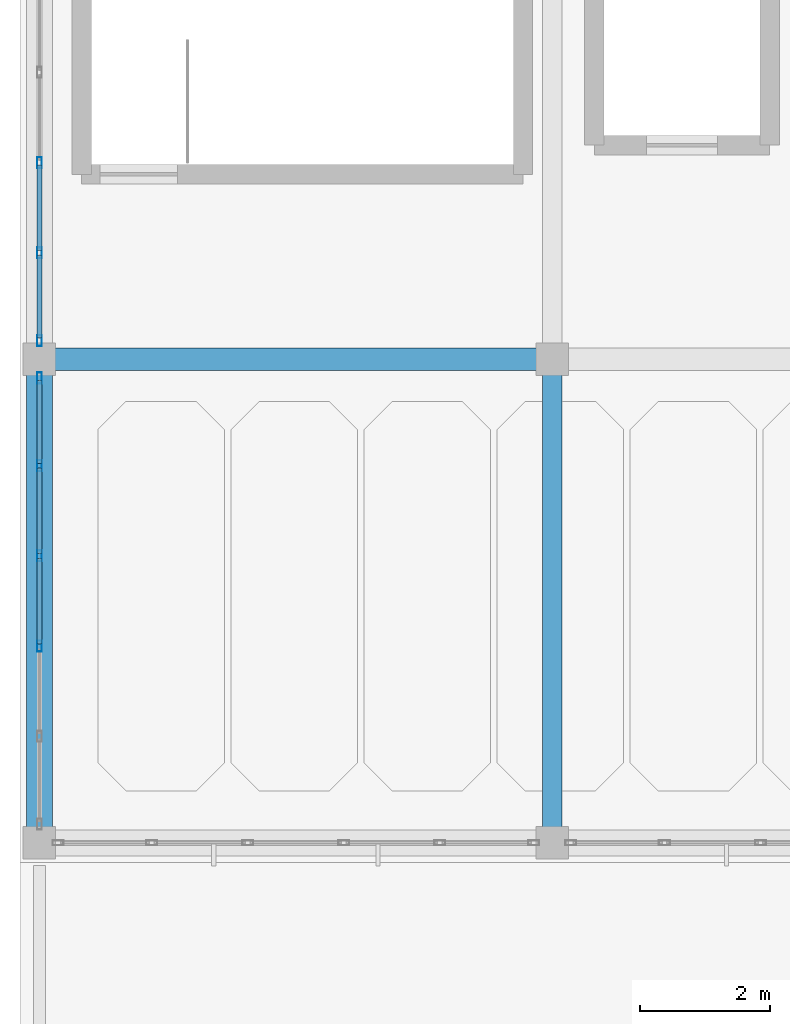
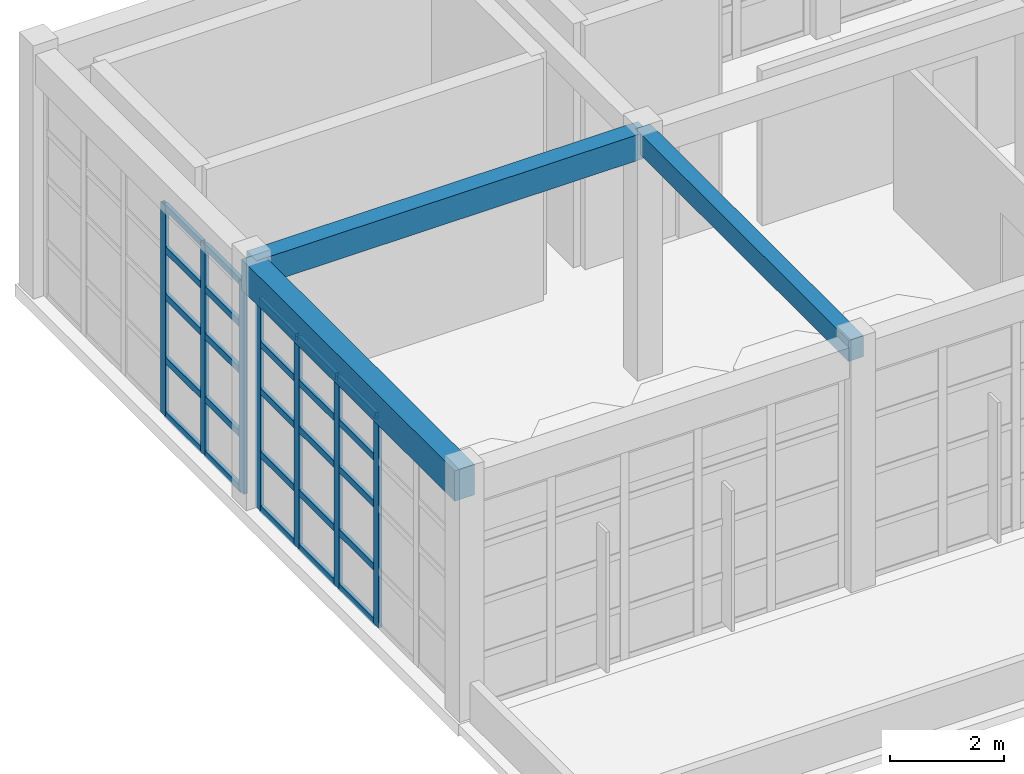
# One storey, part 5 of 103: 32 members, 3 beams, 2 elements without a shape of their own.
"""IFC4 building model written with IfcOpenShell, lengths in metres."""

from ifc_helpers import new_model, si_unit, direction, frame, origin, origin_2d, place, context, subcontext, project, spatial, rectangle, hollow_rectangle, extrude, material, layer, layer_set, material_profile, profile_set, type_object, element, aggregate, save


model = new_model("IFC4")

# Units and contexts
model_context = context("Model", 3, precision=1e-05, world=origin(), true_north=direction((0.0, 1.0)))
body_context = subcontext(model_context, "Body", "Model", "MODEL_VIEW")
ifc_project = project(units=[si_unit("LENGTHUNIT", "METRE"), si_unit("AREAUNIT", "SQUARE_METRE"), si_unit("VOLUMEUNIT", "CUBIC_METRE"), si_unit("PLANEANGLEUNIT", "RADIAN"), si_unit("MASSUNIT", "GRAM", prefix="KILO")], contexts=[model_context])

# Site, building, storey
site_placement = place(None, origin())
site = spatial("IfcSite", under=ifc_project, at=site_placement, CompositionType="ELEMENT")
building_placement = place(site_placement, origin())
building = spatial("IfcBuilding", under=site, at=building_placement, Name="Candilejo Ridge Gondola Terminal", CompositionType="ELEMENT")
storey_placement = place(building_placement, frame((0.0, 0.0, 9.0)))
storey = spatial("IfcBuildingStorey", under=building, at=storey_placement, Name="L02", CompositionType="ELEMENT", Elevation=9.0)

# Curtain wall, members
ifc_material_1 = material(Name="Anodised aluminium AA 6063-T6", Category="aluminium")
ifc_layer = layer(ifc_material_1, 0.169921875)
ifc_layer_set = layer_set([ifc_layer], Name="ARC-CW-CONCOURSE-3600-695X449")
curtain_wall_type = type_object("IfcCurtainWallType", Name="ARC-CW-CONCOURSE-3600-695X449", PredefinedType="NOTDEFINED", material=ifc_layer_set)
curtain_wall_1_placement = place(storey_placement, origin())
curtain_wall_1 = element("IfcCurtainWall", 1, at=curtain_wall_1_placement, inside=storey, type_object=curtain_wall_type, Name="Curtain wall V1 L02-022", PredefinedType="NOTDEFINED")
ifc_material_2 = material(Name="Anodised aluminium AA 6063-T6", Category="aluminium")
ifc_material_profile_1 = material_profile(ifc_material_2, hollow_rectangle(XDim=0.074951171875, YDim=0.169921875, WallThickness=0.00390625, at=origin_2d()))
ifc_profile_set_1 = profile_set([ifc_material_profile_1], Name="Anodised aluminium AA 6063-T6")
member_type_1 = type_object("IfcMemberType", Name="ARC-CW-MULLION", PredefinedType="MULLION", material=ifc_profile_set_1)
member_1_placement = place(storey_placement, frame((4.300048828125, 13.830078125, 0.0), z_axis=(0.0, 0.0, 1.0), x_axis=(-1.0, 0.0, 0.0)))
member_1 = element("IfcMember", 2, at=member_1_placement, type_object=member_type_1, Name="CW-69X44 mullion 3", PredefinedType="MULLION", context=body_context, shape_type="SweptSolid", body=[
    extrude(hollow_rectangle(XDim=0.074951171875, YDim=0.169921875, WallThickness=0.00390625, at=origin_2d()), origin(), (0.0, 0.0, 1.0), 4.489990234375),
])
member_2_placement = place(storey_placement, frame((4.300048828125, 15.219970703125, 0.0), z_axis=(0.0, 0.0, 1.0), x_axis=(-1.0, 0.0, 0.0)))
member_2 = element("IfcMember", 3, at=member_2_placement, type_object=member_type_1, Name="CW-69X44 mullion 4", PredefinedType="MULLION", context=body_context, shape_type="SweptSolid", body=[
    extrude(hollow_rectangle(XDim=0.074951171875, YDim=0.169921875, WallThickness=0.00390625, at=origin_2d()), origin(), (0.0, 0.0, 1.0), 4.489990234375),
])
member_3_placement = place(storey_placement, frame((4.300048828125, 16.610107421875, 0.0), z_axis=(0.0, 0.0, 1.0), x_axis=(-1.0, 0.0, 0.0)))
member_3 = element("IfcMember", 4, at=member_3_placement, type_object=member_type_1, Name="CW-69X44 mullion 5", PredefinedType="MULLION", context=body_context, shape_type="SweptSolid", body=[
    extrude(hollow_rectangle(XDim=0.074951171875, YDim=0.169921875, WallThickness=0.00390625, at=origin_2d()), origin(), (0.0, 0.0, 1.0), 4.489990234375),
])
member_4_placement = place(storey_placement, frame((4.300048828125, 17.96240234375, 0.0), z_axis=(0.0, 0.0, 1.0), x_axis=(-1.0, 0.0, 0.0)))
member_4 = element("IfcMember", 5, at=member_4_placement, type_object=member_type_1, Name="CW-69X44 mullion 6", PredefinedType="MULLION", context=body_context, shape_type="SweptSolid", body=[
    extrude(hollow_rectangle(XDim=0.074951171875, YDim=0.169921875, WallThickness=0.00390625, at=origin_2d()), origin(), (0.0, 0.0, 1.0), 4.489990234375),
])

curtain_wall_2_placement = place(storey_placement, origin())
curtain_wall_2 = element("IfcCurtainWall", 6, at=curtain_wall_2_placement, inside=storey, type_object=curtain_wall_type, Name="Curtain wall V1 L02-023", PredefinedType="NOTDEFINED")
member_5_placement = place(storey_placement, frame((4.300048828125, 18.53759765625, 0.0), z_axis=(0.0, 0.0, 1.0), x_axis=(-1.0, 0.0, 0.0)))
member_5 = element("IfcMember", 7, at=member_5_placement, type_object=member_type_1, Name="CW-69X44 mullion 1", PredefinedType="MULLION", context=body_context, shape_type="SweptSolid", body=[
    extrude(hollow_rectangle(XDim=0.074951171875, YDim=0.169921875, WallThickness=0.00390625, at=origin_2d()), origin(), (0.0, 0.0, 1.0), 4.489990234375),
])
member_6_placement = place(storey_placement, frame((4.300048828125, 19.889892578125, 0.0), z_axis=(0.0, 0.0, 1.0), x_axis=(-1.0, 0.0, 0.0)))
member_6 = element("IfcMember", 8, at=member_6_placement, type_object=member_type_1, Name="CW-69X44 mullion 2", PredefinedType="MULLION", context=body_context, shape_type="SweptSolid", body=[
    extrude(hollow_rectangle(XDim=0.074951171875, YDim=0.169921875, WallThickness=0.00390625, at=origin_2d()), origin(), (0.0, 0.0, 1.0), 4.489990234375),
])
member_7_placement = place(storey_placement, frame((4.300048828125, 21.280029296875, 0.0), z_axis=(0.0, 0.0, 1.0), x_axis=(-1.0, 0.0, 0.0)))
member_7 = element("IfcMember", 9, at=member_7_placement, type_object=member_type_1, Name="CW-69X44 mullion 3", PredefinedType="MULLION", context=body_context, shape_type="SweptSolid", body=[
    extrude(hollow_rectangle(XDim=0.074951171875, YDim=0.169921875, WallThickness=0.00390625, at=origin_2d()), origin(), (0.0, 0.0, 1.0), 4.489990234375),
])

# Member
ifc_material_3 = material(Name="Anodised aluminium AA 6063-T6", Category="aluminium")
ifc_material_profile_2 = material_profile(ifc_material_3, hollow_rectangle(XDim=0.074951171875, YDim=0.139892578125, WallThickness=0.00390625, at=origin_2d()))
ifc_profile_set_2 = profile_set([ifc_material_profile_2], Name="Anodised aluminium AA 6063-T6")
member_type_2 = type_object("IfcMemberType", Name="ARC-CW-TRANSOM", PredefinedType="USERDEFINED", material=ifc_profile_set_2)
member_8_placement = place(storey_placement, frame((4.300048828125, 13.867431640625, 0.03759765625), z_axis=(0.0, 1.0, 0.0), x_axis=(-1.0, 0.0, 0.0)))
member_8 = element("IfcMember", 10, at=member_8_placement, type_object=member_type_2, Name="CW-69X44 transom 3.1", ObjectType="TRANSOM", PredefinedType="USERDEFINED", context=body_context, shape_type="SweptSolid", body=[
    extrude(hollow_rectangle(XDim=0.074951171875, YDim=0.139892578125, WallThickness=0.00390625, at=origin_2d()), origin(), (0.0, 0.0, 1.0), 1.315185546875),
])

member_9_placement = place(storey_placement, frame((4.300048828125, 13.867431640625, 1.199951171875), z_axis=(0.0, 1.0, 0.0), x_axis=(-1.0, 0.0, 0.0)))
member_9 = element("IfcMember", 11, at=member_9_placement, type_object=member_type_2, Name="CW-69X44 transom 3.2", ObjectType="TRANSOM", PredefinedType="USERDEFINED", context=body_context, shape_type="SweptSolid", body=[
    extrude(hollow_rectangle(XDim=0.074951171875, YDim=0.139892578125, WallThickness=0.00390625, at=origin_2d()), origin(), (0.0, 0.0, 1.0), 1.315185546875),
])

member_10_placement = place(storey_placement, frame((4.300048828125, 13.867431640625, 2.550048828125), z_axis=(0.0, 1.0, 0.0), x_axis=(-1.0, 0.0, 0.0)))
member_10 = element("IfcMember", 12, at=member_10_placement, type_object=member_type_2, Name="CW-69X44 transom 3.3", ObjectType="TRANSOM", PredefinedType="USERDEFINED", context=body_context, shape_type="SweptSolid", body=[
    extrude(hollow_rectangle(XDim=0.074951171875, YDim=0.139892578125, WallThickness=0.00390625, at=origin_2d()), origin(), (0.0, 0.0, 1.0), 1.315185546875),
])

member_11_placement = place(storey_placement, frame((4.300048828125, 13.867431640625, 3.550048828125), z_axis=(0.0, 1.0, 0.0), x_axis=(-1.0, 0.0, 0.0)))
member_11 = element("IfcMember", 13, at=member_11_placement, type_object=member_type_2, Name="CW-69X44 transom 3.4", ObjectType="TRANSOM", PredefinedType="USERDEFINED", context=body_context, shape_type="SweptSolid", body=[
    extrude(hollow_rectangle(XDim=0.074951171875, YDim=0.139892578125, WallThickness=0.00390625, at=origin_2d()), origin(), (0.0, 0.0, 1.0), 1.315185546875),
])

member_12_placement = place(storey_placement, frame((4.300048828125, 13.867431640625, 4.452392578125), z_axis=(0.0, 1.0, 0.0), x_axis=(-1.0, 0.0, 0.0)))
member_12 = element("IfcMember", 14, at=member_12_placement, type_object=member_type_2, Name="CW-69X44 transom 3.5", ObjectType="TRANSOM", PredefinedType="USERDEFINED", context=body_context, shape_type="SweptSolid", body=[
    extrude(hollow_rectangle(XDim=0.074951171875, YDim=0.139892578125, WallThickness=0.00390625, at=origin_2d()), origin(), (0.0, 0.0, 1.0), 1.315185546875),
])

member_13_placement = place(storey_placement, frame((4.300048828125, 15.257568359375, 0.03759765625), z_axis=(0.0, 1.0, 0.0), x_axis=(-1.0, 0.0, 0.0)))
member_13 = element("IfcMember", 15, at=member_13_placement, type_object=member_type_2, Name="CW-69X44 transom 4.1", ObjectType="TRANSOM", PredefinedType="USERDEFINED", context=body_context, shape_type="SweptSolid", body=[
    extrude(hollow_rectangle(XDim=0.074951171875, YDim=0.139892578125, WallThickness=0.00390625, at=origin_2d()), origin(), (0.0, 0.0, 1.0), 1.31494140625),
])

member_14_placement = place(storey_placement, frame((4.300048828125, 15.257568359375, 1.199951171875), z_axis=(0.0, 1.0, 0.0), x_axis=(-1.0, 0.0, 0.0)))
member_14 = element("IfcMember", 16, at=member_14_placement, type_object=member_type_2, Name="CW-69X44 transom 4.2", ObjectType="TRANSOM", PredefinedType="USERDEFINED", context=body_context, shape_type="SweptSolid", body=[
    extrude(hollow_rectangle(XDim=0.074951171875, YDim=0.139892578125, WallThickness=0.00390625, at=origin_2d()), origin(), (0.0, 0.0, 1.0), 1.31494140625),
])

member_15_placement = place(storey_placement, frame((4.300048828125, 15.257568359375, 2.550048828125), z_axis=(0.0, 1.0, 0.0), x_axis=(-1.0, 0.0, 0.0)))
member_15 = element("IfcMember", 17, at=member_15_placement, type_object=member_type_2, Name="CW-69X44 transom 4.3", ObjectType="TRANSOM", PredefinedType="USERDEFINED", context=body_context, shape_type="SweptSolid", body=[
    extrude(hollow_rectangle(XDim=0.074951171875, YDim=0.139892578125, WallThickness=0.00390625, at=origin_2d()), origin(), (0.0, 0.0, 1.0), 1.31494140625),
])

member_16_placement = place(storey_placement, frame((4.300048828125, 15.257568359375, 3.550048828125), z_axis=(0.0, 1.0, 0.0), x_axis=(-1.0, 0.0, 0.0)))
member_16 = element("IfcMember", 18, at=member_16_placement, type_object=member_type_2, Name="CW-69X44 transom 4.4", ObjectType="TRANSOM", PredefinedType="USERDEFINED", context=body_context, shape_type="SweptSolid", body=[
    extrude(hollow_rectangle(XDim=0.074951171875, YDim=0.139892578125, WallThickness=0.00390625, at=origin_2d()), origin(), (0.0, 0.0, 1.0), 1.31494140625),
])

member_17_placement = place(storey_placement, frame((4.300048828125, 15.257568359375, 4.452392578125), z_axis=(0.0, 1.0, 0.0), x_axis=(-1.0, 0.0, 0.0)))
member_17 = element("IfcMember", 19, at=member_17_placement, type_object=member_type_2, Name="CW-69X44 transom 4.5", ObjectType="TRANSOM", PredefinedType="USERDEFINED", context=body_context, shape_type="SweptSolid", body=[
    extrude(hollow_rectangle(XDim=0.074951171875, YDim=0.139892578125, WallThickness=0.00390625, at=origin_2d()), origin(), (0.0, 0.0, 1.0), 1.31494140625),
])

member_18_placement = place(storey_placement, frame((4.300048828125, 16.6474609375, 0.03759765625), z_axis=(0.0, 1.0, 0.0), x_axis=(-1.0, 0.0, 0.0)))
member_18 = element("IfcMember", 20, at=member_18_placement, type_object=member_type_2, Name="CW-69X44 transom 5.1", ObjectType="TRANSOM", PredefinedType="USERDEFINED", context=body_context, shape_type="SweptSolid", body=[
    extrude(hollow_rectangle(XDim=0.074951171875, YDim=0.139892578125, WallThickness=0.00390625, at=origin_2d()), origin(), (0.0, 0.0, 1.0), 1.277587890625),
])

member_19_placement = place(storey_placement, frame((4.300048828125, 16.6474609375, 1.199951171875), z_axis=(0.0, 1.0, 0.0), x_axis=(-1.0, 0.0, 0.0)))
member_19 = element("IfcMember", 21, at=member_19_placement, type_object=member_type_2, Name="CW-69X44 transom 5.2", ObjectType="TRANSOM", PredefinedType="USERDEFINED", context=body_context, shape_type="SweptSolid", body=[
    extrude(hollow_rectangle(XDim=0.074951171875, YDim=0.139892578125, WallThickness=0.00390625, at=origin_2d()), origin(), (0.0, 0.0, 1.0), 1.277587890625),
])

member_20_placement = place(storey_placement, frame((4.300048828125, 16.6474609375, 2.550048828125), z_axis=(0.0, 1.0, 0.0), x_axis=(-1.0, 0.0, 0.0)))
member_20 = element("IfcMember", 22, at=member_20_placement, type_object=member_type_2, Name="CW-69X44 transom 5.3", ObjectType="TRANSOM", PredefinedType="USERDEFINED", context=body_context, shape_type="SweptSolid", body=[
    extrude(hollow_rectangle(XDim=0.074951171875, YDim=0.139892578125, WallThickness=0.00390625, at=origin_2d()), origin(), (0.0, 0.0, 1.0), 1.277587890625),
])

member_21_placement = place(storey_placement, frame((4.300048828125, 16.6474609375, 3.550048828125), z_axis=(0.0, 1.0, 0.0), x_axis=(-1.0, 0.0, 0.0)))
member_21 = element("IfcMember", 23, at=member_21_placement, type_object=member_type_2, Name="CW-69X44 transom 5.4", ObjectType="TRANSOM", PredefinedType="USERDEFINED", context=body_context, shape_type="SweptSolid", body=[
    extrude(hollow_rectangle(XDim=0.074951171875, YDim=0.139892578125, WallThickness=0.00390625, at=origin_2d()), origin(), (0.0, 0.0, 1.0), 1.277587890625),
])

member_22_placement = place(storey_placement, frame((4.300048828125, 16.6474609375, 4.452392578125), z_axis=(0.0, 1.0, 0.0), x_axis=(-1.0, 0.0, 0.0)))
member_22 = element("IfcMember", 24, at=member_22_placement, type_object=member_type_2, Name="CW-69X44 transom 5.5", ObjectType="TRANSOM", PredefinedType="USERDEFINED", context=body_context, shape_type="SweptSolid", body=[
    extrude(hollow_rectangle(XDim=0.074951171875, YDim=0.139892578125, WallThickness=0.00390625, at=origin_2d()), origin(), (0.0, 0.0, 1.0), 1.277587890625),
])

aggregate(curtain_wall_1, [member_1, member_2, member_3, member_4, member_8, member_9, member_10, member_11, member_12, member_13, member_14, member_15, member_16, member_17, member_18, member_19, member_20, member_21, member_22])

member_23_placement = place(storey_placement, frame((4.300048828125, 18.574951171875, 0.03759765625), z_axis=(0.0, 1.0, 0.0), x_axis=(-1.0, 0.0, 0.0)))
member_23 = element("IfcMember", 25, at=member_23_placement, type_object=member_type_2, Name="CW-69X44 transom 1.1", ObjectType="TRANSOM", PredefinedType="USERDEFINED", context=body_context, shape_type="SweptSolid", body=[
    extrude(hollow_rectangle(XDim=0.074951171875, YDim=0.139892578125, WallThickness=0.00390625, at=origin_2d()), origin(), (0.0, 0.0, 1.0), 1.277587890625),
])

member_24_placement = place(storey_placement, frame((4.300048828125, 18.574951171875, 1.199951171875), z_axis=(0.0, 1.0, 0.0), x_axis=(-1.0, 0.0, 0.0)))
member_24 = element("IfcMember", 26, at=member_24_placement, type_object=member_type_2, Name="CW-69X44 transom 1.2", ObjectType="TRANSOM", PredefinedType="USERDEFINED", context=body_context, shape_type="SweptSolid", body=[
    extrude(hollow_rectangle(XDim=0.074951171875, YDim=0.139892578125, WallThickness=0.00390625, at=origin_2d()), origin(), (0.0, 0.0, 1.0), 1.277587890625),
])

member_25_placement = place(storey_placement, frame((4.300048828125, 18.574951171875, 2.550048828125), z_axis=(0.0, 1.0, 0.0), x_axis=(-1.0, 0.0, 0.0)))
member_25 = element("IfcMember", 27, at=member_25_placement, type_object=member_type_2, Name="CW-69X44 transom 1.3", ObjectType="TRANSOM", PredefinedType="USERDEFINED", context=body_context, shape_type="SweptSolid", body=[
    extrude(hollow_rectangle(XDim=0.074951171875, YDim=0.139892578125, WallThickness=0.00390625, at=origin_2d()), origin(), (0.0, 0.0, 1.0), 1.277587890625),
])

member_26_placement = place(storey_placement, frame((4.300048828125, 18.574951171875, 3.550048828125), z_axis=(0.0, 1.0, 0.0), x_axis=(-1.0, 0.0, 0.0)))
member_26 = element("IfcMember", 28, at=member_26_placement, type_object=member_type_2, Name="CW-69X44 transom 1.4", ObjectType="TRANSOM", PredefinedType="USERDEFINED", context=body_context, shape_type="SweptSolid", body=[
    extrude(hollow_rectangle(XDim=0.074951171875, YDim=0.139892578125, WallThickness=0.00390625, at=origin_2d()), origin(), (0.0, 0.0, 1.0), 1.277587890625),
])

member_27_placement = place(storey_placement, frame((4.300048828125, 18.574951171875, 4.452392578125), z_axis=(0.0, 1.0, 0.0), x_axis=(-1.0, 0.0, 0.0)))
member_27 = element("IfcMember", 29, at=member_27_placement, type_object=member_type_2, Name="CW-69X44 transom 1.5", ObjectType="TRANSOM", PredefinedType="USERDEFINED", context=body_context, shape_type="SweptSolid", body=[
    extrude(hollow_rectangle(XDim=0.074951171875, YDim=0.139892578125, WallThickness=0.00390625, at=origin_2d()), origin(), (0.0, 0.0, 1.0), 1.277587890625),
])

member_28_placement = place(storey_placement, frame((4.300048828125, 19.927490234375, 0.03759765625), z_axis=(0.0, 1.0, 0.0), x_axis=(-1.0, 0.0, 0.0)))
member_28 = element("IfcMember", 30, at=member_28_placement, type_object=member_type_2, Name="CW-69X44 transom 2.1", ObjectType="TRANSOM", PredefinedType="USERDEFINED", context=body_context, shape_type="SweptSolid", body=[
    extrude(hollow_rectangle(XDim=0.074951171875, YDim=0.139892578125, WallThickness=0.00390625, at=origin_2d()), origin(), (0.0, 0.0, 1.0), 1.31494140625),
])

member_29_placement = place(storey_placement, frame((4.300048828125, 19.927490234375, 1.199951171875), z_axis=(0.0, 1.0, 0.0), x_axis=(-1.0, 0.0, 0.0)))
member_29 = element("IfcMember", 31, at=member_29_placement, type_object=member_type_2, Name="CW-69X44 transom 2.2", ObjectType="TRANSOM", PredefinedType="USERDEFINED", context=body_context, shape_type="SweptSolid", body=[
    extrude(hollow_rectangle(XDim=0.074951171875, YDim=0.139892578125, WallThickness=0.00390625, at=origin_2d()), origin(), (0.0, 0.0, 1.0), 1.31494140625),
])

member_30_placement = place(storey_placement, frame((4.300048828125, 19.927490234375, 2.550048828125), z_axis=(0.0, 1.0, 0.0), x_axis=(-1.0, 0.0, 0.0)))
member_30 = element("IfcMember", 32, at=member_30_placement, type_object=member_type_2, Name="CW-69X44 transom 2.3", ObjectType="TRANSOM", PredefinedType="USERDEFINED", context=body_context, shape_type="SweptSolid", body=[
    extrude(hollow_rectangle(XDim=0.074951171875, YDim=0.139892578125, WallThickness=0.00390625, at=origin_2d()), origin(), (0.0, 0.0, 1.0), 1.31494140625),
])

member_31_placement = place(storey_placement, frame((4.300048828125, 19.927490234375, 3.550048828125), z_axis=(0.0, 1.0, 0.0), x_axis=(-1.0, 0.0, 0.0)))
member_31 = element("IfcMember", 33, at=member_31_placement, type_object=member_type_2, Name="CW-69X44 transom 2.4", ObjectType="TRANSOM", PredefinedType="USERDEFINED", context=body_context, shape_type="SweptSolid", body=[
    extrude(hollow_rectangle(XDim=0.074951171875, YDim=0.139892578125, WallThickness=0.00390625, at=origin_2d()), origin(), (0.0, 0.0, 1.0), 1.31494140625),
])

member_32_placement = place(storey_placement, frame((4.300048828125, 19.927490234375, 4.452392578125), z_axis=(0.0, 1.0, 0.0), x_axis=(-1.0, 0.0, 0.0)))
member_32 = element("IfcMember", 34, at=member_32_placement, type_object=member_type_2, Name="CW-69X44 transom 2.5", ObjectType="TRANSOM", PredefinedType="USERDEFINED", context=body_context, shape_type="SweptSolid", body=[
    extrude(hollow_rectangle(XDim=0.074951171875, YDim=0.139892578125, WallThickness=0.00390625, at=origin_2d()), origin(), (0.0, 0.0, 1.0), 1.31494140625),
])

aggregate(curtain_wall_2, [member_5, member_6, member_7, member_23, member_24, member_25, member_26, member_27, member_28, member_29, member_30, member_31, member_32])

# Beams
ifc_material_4 = material(Name="Concrete f'c 35 MPa (C35/45)", Category="concrete")
ifc_material_profile_3 = material_profile(ifc_material_4, rectangle(XDim=0.300048828125, YDim=0.449951171875, at=origin_2d()))
ifc_profile_set_3 = profile_set([ifc_material_profile_3], Name="Concrete f'c 35 MPa (C35/45)")
beam_type_1 = type_object("IfcBeamType", Name="STR-BM-RC300X450", PredefinedType="BEAM", material=ifc_profile_set_3)
beam_1_placement = place(storey_placement, frame((12.199951171875, 10.800048828125, 4.97509765625), z_axis=(0.0, 1.0, 0.0), x_axis=(-1.0, 0.0, 0.0)))
element("IfcBeam", 35, at=beam_1_placement, inside=storey, type_object=beam_type_1, Name="Beam Y V1 L02 Y02-Y03@X02", PredefinedType="BEAM", context=body_context, shape_type="SweptSolid", body=[
    extrude(rectangle(XDim=0.300048828125, YDim=0.449951171875, at=origin_2d()), origin(), (0.0, 0.0, 1.0), 7.449951171875),
])
ifc_material_5 = material(Name="Concrete f'c 35 MPa (C35/45)", Category="concrete")
ifc_material_profile_4 = material_profile(ifc_material_5, rectangle(XDim=0.35009765625, YDim=0.550048828125, at=origin_2d()))
ifc_profile_set_4 = profile_set([ifc_material_profile_4], Name="Concrete f'c 35 MPa (C35/45)")
beam_type_2 = type_object("IfcBeamType", Name="STR-BM-RC350X550", PredefinedType="BEAM", material=ifc_profile_set_4)
beam_2_placement = place(storey_placement, frame((4.300048828125, 18.25, 4.925048828125), z_axis=(1.0, 0.0, 0.0), x_axis=(0.0, 1.0, 0.0)))
element("IfcBeam", 36, at=beam_2_placement, inside=storey, type_object=beam_type_2, Name="Beam X V1 L02 X01-X02@Y03", PredefinedType="BEAM", context=body_context, shape_type="SweptSolid", body=[
    extrude(rectangle(XDim=0.35009765625, YDim=0.550048828125, at=origin_2d()), origin(), (0.0, 0.0, 1.0), 7.89990234375),
])
ifc_material_6 = material(Name="Concrete f'c 35 MPa (C35/45)", Category="concrete")
ifc_material_profile_5 = material_profile(ifc_material_6, rectangle(XDim=0.39990234375, YDim=0.64990234375, at=origin_2d()))
ifc_profile_set_5 = profile_set([ifc_material_profile_5], Name="Concrete f'c 35 MPa (C35/45)")
beam_type_3 = type_object("IfcBeamType", Name="STR-SPN-RC400X650", PredefinedType="SPANDREL", material=ifc_profile_set_5)
beam_3_placement = place(storey_placement, frame((4.300048828125, 10.800048828125, 4.875), z_axis=(0.0, 1.0, 0.0), x_axis=(-1.0, 0.0, 0.0)))
element("IfcBeam", 37, at=beam_3_placement, inside=storey, type_object=beam_type_3, Name="Beam Y V1 L02 Y02-Y03@X01", PredefinedType="SPANDREL", context=body_context, shape_type="SweptSolid", body=[
    extrude(rectangle(XDim=0.39990234375, YDim=0.64990234375, at=origin_2d()), origin(), (0.0, 0.0, 1.0), 7.449951171875),
])

save(model, "model.ifc")
